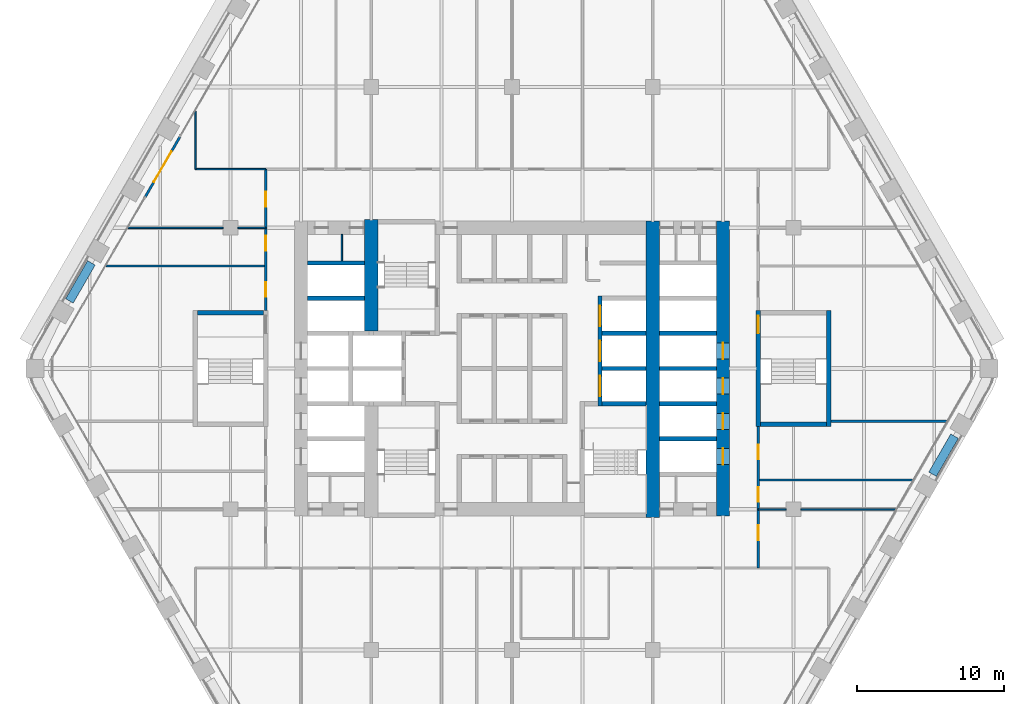
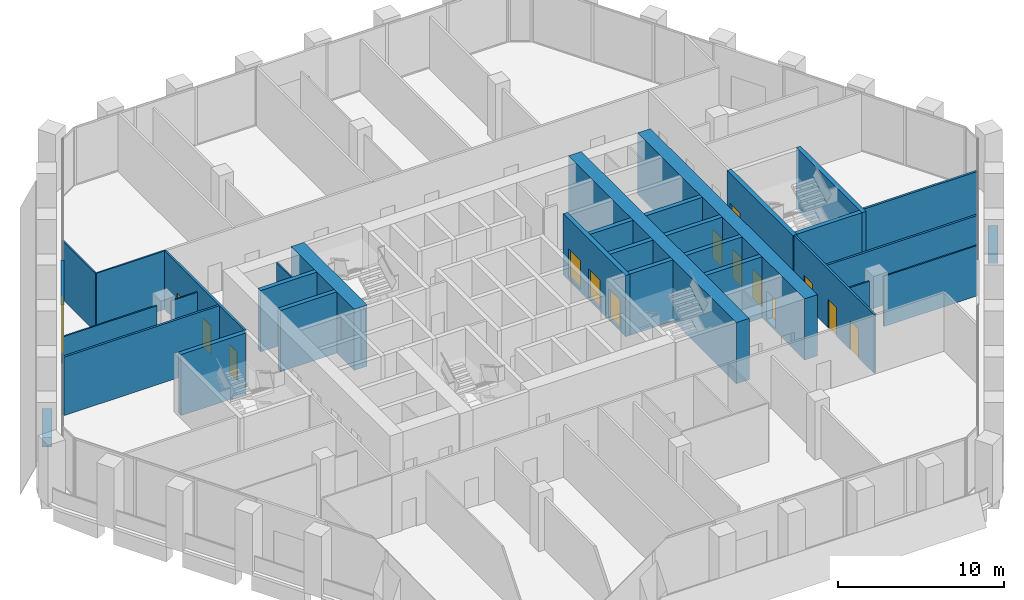
# One storey, part 15 of 23: 32 walls, 15 doors, 15 openings.
"""IFC4 building model written with IfcOpenShell, lengths in metres."""

from ifc_helpers import new_model, si_unit, direction, frame, frame_2d, origin, place, context, subcontext, project, spatial, rectangle, extrude, material, layer, layer_set, type_object, element, fill, save


model = new_model("IFC4")

# Units and contexts
model_context = context("Model", 3, precision=1e-05, world=origin(), true_north=direction((0.0, 1.0)))
body_context = subcontext(model_context, "Body", "Model", "MODEL_VIEW")
ifc_project = project(units=[si_unit("LENGTHUNIT", "METRE"), si_unit("AREAUNIT", "SQUARE_METRE"), si_unit("VOLUMEUNIT", "CUBIC_METRE"), si_unit("PLANEANGLEUNIT", "RADIAN"), si_unit("MASSUNIT", "GRAM", prefix="KILO")], contexts=[model_context])

# Site, building, storey
site_placement = place(None, origin())
site = spatial("IfcSite", under=ifc_project, at=site_placement, CompositionType="ELEMENT")
building_placement = place(site_placement, origin())
building = spatial("IfcBuilding", under=site, at=building_placement, Name="Kolab Exchange Tower", CompositionType="ELEMENT")
storey_placement = place(building_placement, frame((0.0, 0.0, 95.89990234375)))
storey = spatial("IfcBuildingStorey", under=building, at=storey_placement, Name="L18", CompositionType="ELEMENT", Elevation=95.89990234375)

# Walls
ifc_material_1 = material(Name="Concrete C70/85", Category="concrete")
ifc_layer_1 = layer(ifc_material_1, 0.89990234375)
ifc_layer_set_1 = layer_set([ifc_layer_1], Name="Concrete C70/85")
wall_type_1 = type_object("IfcWallType", Name="CORE WALL 900 C70/85", PredefinedType="SHEAR", material=ifc_layer_set_1)
wall_1_placement = place(storey_placement, frame((-9.60009765625, 2.550048828125, -0.199951171875), z_axis=(0.0, 0.0, 1.0), x_axis=(0.0, 1.0, 0.0)))
element("IfcWall", 1, at=wall_1_placement, inside=storey, type_object=wall_type_1, Name="wall/L18/core/062", PredefinedType="SHEAR", context=body_context, shape_type="SweptSolid", body=[
    extrude(rectangle(XDim=7.599853515625, YDim=0.89990234375, at=frame_2d((3.7998046875, 0.0))), origin(), (0.0, 0.0, 1.0), 4.5),
])
wall_2_placement = place(storey_placement, frame((9.60009765625, -10.14990234375, -0.199951171875), z_axis=(0.0, 0.0, 1.0), x_axis=(0.0, 1.0, 0.0)))
element("IfcWall", 2, at=wall_2_placement, inside=storey, type_object=wall_type_1, Name="wall/L18/core/080", PredefinedType="SHEAR", context=body_context, shape_type="SweptSolid", body=[
    extrude(rectangle(XDim=20.199951171875, YDim=0.89990234375, at=frame_2d((10.10009765625, 0.0))), origin(), (0.0, 0.0, 1.0), 4.5),
])

# Wall, openings, doors
wall_3_placement = place(storey_placement, frame((14.39990234375, -10.050048828125, -0.199951171875), z_axis=(0.0, 0.0, 1.0), x_axis=(0.0, 1.0, 0.0)))
wall_3 = element("IfcWall", 3, at=wall_3_placement, inside=storey, type_object=wall_type_1, Name="wall/L18/core/081", PredefinedType="SHEAR", context=body_context, shape_type="SweptSolid", body=[
    extrude(rectangle(XDim=20.10009765625, YDim=0.89990234375, at=frame_2d((10.050048828125, 0.0))), origin(), (0.0, 0.0, 1.0), 4.5),
])
opening_1_placement = place(wall_3_placement, frame((3.5, 0.0, 0.199951171875)))
opening_1 = element("IfcOpeningElement", 4, at=opening_1_placement, cuts=wall_3, Name="Opening LD1-069", PredefinedType="OPENING", context=body_context, shape_type="SweptSolid", body=[
    extrude(rectangle(XDim=1.10009765625, YDim=2.10009765625, at=frame_2d((0.550048828125, 1.050048828125))), frame((0.0, 0.4599609375, 0.0), z_axis=(0.0, -1.0, 0.0), x_axis=(1.0, 0.0, 0.0)), (0.0, 0.0, 1.0), 0.919921875),
])
opening_2_placement = place(wall_3_placement, frame((5.89990234375, 0.0, 0.199951171875)))
opening_2 = element("IfcOpeningElement", 5, at=opening_2_placement, cuts=wall_3, Name="Opening LD1-070", PredefinedType="OPENING", context=body_context, shape_type="SweptSolid", body=[
    extrude(rectangle(XDim=1.10009765625, YDim=2.10009765625, at=frame_2d((0.550048828125, 1.050048828125))), frame((0.0, 0.4599609375, 0.0), z_axis=(0.0, -1.0, 0.0), x_axis=(1.0, 0.0, 0.0)), (0.0, 0.0, 1.0), 0.919921875),
])
opening_3_placement = place(wall_3_placement, frame((8.300048828125, 0.0, 0.199951171875)))
opening_3 = element("IfcOpeningElement", 6, at=opening_3_placement, cuts=wall_3, Name="Opening LD1-071", PredefinedType="OPENING", context=body_context, shape_type="SweptSolid", body=[
    extrude(rectangle(XDim=1.10009765625, YDim=2.10009765625, at=frame_2d((0.550048828125, 1.050048828125))), frame((0.0, 0.4599609375, 0.0), z_axis=(0.0, -1.0, 0.0), x_axis=(1.0, 0.0, 0.0)), (0.0, 0.0, 1.0), 0.919921875),
])
opening_4_placement = place(wall_3_placement, frame((10.699951171875, 0.0, 0.199951171875)))
opening_4 = element("IfcOpeningElement", 7, at=opening_4_placement, cuts=wall_3, Name="Opening LD1-072", PredefinedType="OPENING", context=body_context, shape_type="SweptSolid", body=[
    extrude(rectangle(XDim=1.10009765625, YDim=2.10009765625, at=frame_2d((0.550048828125, 1.050048828125))), frame((0.0, 0.4599609375, 0.0), z_axis=(0.0, -1.0, 0.0), x_axis=(1.0, 0.0, 0.0)), (0.0, 0.0, 1.0), 0.919921875),
])
ifc_material_2 = material(Name="Stainless steel 316", Category="steel")
door_type_1 = type_object("IfcDoorType", Name="LANDING DOOR 1100 PASSENGER", OperationType="DOUBLE_DOOR_SLIDING", PredefinedType="DOOR", material=ifc_material_2)
door_1_placement = place(opening_1_placement, origin())
door_1 = element("IfcDoor", 8, at=door_1_placement, inside=storey, type_object=door_type_1, Name="Landing door LR1", OperationType="DOUBLE_DOOR_SLIDING", OverallHeight=2.10009765625, OverallWidth=1.10009765625, PredefinedType="DOOR", context=body_context, shape_type="SweptSolid", body=[
    extrude(rectangle(XDim=1.10009765625, YDim=2.10009765625, at=frame_2d((0.550048828125, 1.050048828125))), frame((0.0, 0.02490234375, 0.0), z_axis=(0.0, -1.0, 0.0), x_axis=(1.0, 0.0, 0.0)), (0.0, 0.0, 1.0), 0.050048828125),
])
fill(opening_1, door_1)
door_2_placement = place(opening_2_placement, origin())
door_2 = element("IfcDoor", 9, at=door_2_placement, inside=storey, type_object=door_type_1, Name="Landing door LR2", OperationType="DOUBLE_DOOR_SLIDING", OverallHeight=2.10009765625, OverallWidth=1.10009765625, PredefinedType="DOOR", context=body_context, shape_type="SweptSolid", body=[
    extrude(rectangle(XDim=1.10009765625, YDim=2.10009765625, at=frame_2d((0.550048828125, 1.050048828125))), frame((0.0, 0.02490234375, 0.0), z_axis=(0.0, -1.0, 0.0), x_axis=(1.0, 0.0, 0.0)), (0.0, 0.0, 1.0), 0.050048828125),
])
fill(opening_2, door_2)
door_3_placement = place(opening_3_placement, origin())
door_3 = element("IfcDoor", 10, at=door_3_placement, inside=storey, type_object=door_type_1, Name="Landing door LR3", OperationType="DOUBLE_DOOR_SLIDING", OverallHeight=2.10009765625, OverallWidth=1.10009765625, PredefinedType="DOOR", context=body_context, shape_type="SweptSolid", body=[
    extrude(rectangle(XDim=1.10009765625, YDim=2.10009765625, at=frame_2d((0.550048828125, 1.050048828125))), frame((0.0, 0.02490234375, 0.0), z_axis=(0.0, -1.0, 0.0), x_axis=(1.0, 0.0, 0.0)), (0.0, 0.0, 1.0), 0.050048828125),
])
fill(opening_3, door_3)
door_4_placement = place(opening_4_placement, origin())
door_4 = element("IfcDoor", 11, at=door_4_placement, inside=storey, type_object=door_type_1, Name="Landing door LR4", OperationType="DOUBLE_DOOR_SLIDING", OverallHeight=2.10009765625, OverallWidth=1.10009765625, PredefinedType="DOOR", context=body_context, shape_type="SweptSolid", body=[
    extrude(rectangle(XDim=1.10009765625, YDim=2.10009765625, at=frame_2d((0.550048828125, 1.050048828125))), frame((0.0, 0.02490234375, 0.0), z_axis=(0.0, -1.0, 0.0), x_axis=(1.0, 0.0, 0.0)), (0.0, 0.0, 1.0), 0.050048828125),
])
fill(opening_4, door_4)

# Wall, opening, door
ifc_material_3 = material(Name="Aluminium EN AW-6063 T6", Category="aluminium")
ifc_layer_2 = layer(ifc_material_3, 0.159912109375)
ifc_layer_set_2 = layer_set([ifc_layer_2], Name="Aluminium EN AW-6063 T6")
wall_type_2 = type_object("IfcWallType", Name="DOOR SURROUND WALL 160 ALUMINIUM FRAMED", PredefinedType="PARTITIONING", material=ifc_layer_set_2)
wall_4_placement = place(storey_placement, frame((-25.0166015625, 11.706787109375, 0.0), z_axis=(0.0, 0.0, 1.0), x_axis=(0.499978080042, 0.866038058908, 0.0)))
wall_4 = element("IfcWall", 12, at=wall_4_placement, inside=storey, type_object=wall_type_2, Name="Door surround wall", PredefinedType="PARTITIONING", context=body_context, shape_type="SweptSolid", body=[
    extrude(rectangle(XDim=4.739990234375, YDim=0.159912109375, at=frame_2d((2.3701171875, 0.0))), origin(), (0.0, 0.0, 1.0), 4.300048828125),
])
opening_5_placement = place(wall_4_placement, frame((1.169921875, 0.0, 0.0)))
opening_5 = element("IfcOpeningElement", 13, at=opening_5_placement, cuts=wall_4, Name="Opening GD1-039", PredefinedType="OPENING", context=body_context, shape_type="SweptSolid", body=[
    extrude(rectangle(XDim=2.39990234375, YDim=2.39990234375, at=frame_2d((1.199951171875, 1.199951171875))), frame((0.0, 0.08984375, 0.0), z_axis=(0.0, -1.0, 0.0), x_axis=(1.0, 0.0, 0.0)), (0.0, 0.0, 1.0), 0.179931640625),
])
door_type_2 = type_object("IfcDoorType", Name="LOGGIA SLIDING GLASS DOOR 2400 X 2400", OperationType="DOUBLE_DOOR_SINGLE_SWING", PredefinedType="DOOR", material=ifc_material_3)
door_5_placement = place(opening_5_placement, origin())
door_5 = element("IfcDoor", 14, at=door_5_placement, inside=storey, type_object=door_type_2, Name="Loggia door", OperationType="DOUBLE_DOOR_SLIDING", OverallHeight=2.39990234375, OverallWidth=2.39990234375, PredefinedType="DOOR", context=body_context, shape_type="SweptSolid", body=[
    extrude(rectangle(XDim=2.39990234375, YDim=2.39990234375, at=frame_2d((1.199951171875, 1.199951171875))), frame((0.0, 0.02490234375, 0.0), z_axis=(0.0, -1.0, 0.0), x_axis=(1.0, 0.0, 0.0)), (0.0, 0.0, 1.0), 0.050048828125),
])
fill(opening_5, door_5)

# Walls
ifc_material_4 = material(Name="Concrete C50/60", Category="concrete")
ifc_layer_3 = layer(ifc_material_4, 0.300048828125)
ifc_layer_set_3 = layer_set([ifc_layer_3], Name="Concrete C50/60")
wall_type_3 = type_object("IfcWallType", Name="LIFT SHAFT WALL 300 C50/60", PredefinedType="STANDARD", material=ifc_layer_set_3)
for number, where, z_axis, x_axis, name in (
    (15, (10.050048828125, -4.800048828125, -0.199951171875), (0.0, 0.0, 1.0), (1.0, 0.0, 0.0), "wall/L18/core/011"),
    (16, (10.050048828125, -2.39990234375, -0.199951171875), (0.0, 0.0, 1.0), (1.0, 0.0, 0.0), "wall/L18/core/023"),
):
    element("IfcWall", number, at=place(storey_placement, frame(where, z_axis=z_axis, x_axis=x_axis)), inside=storey, type_object=wall_type_3, Name=name, PredefinedType="STANDARD", context=body_context, shape_type="SweptSolid", body=[
        extrude(rectangle(XDim=3.89990234375, YDim=0.300048828125, at=frame_2d((1.949951171875, 0.0))), origin(), (0.0, 0.0, 1.0), 4.5),
    ])
wall_5_placement = place(storey_placement, frame((6.14990234375, 0.0, -0.199951171875), z_axis=(0.0, 0.0, 1.0), x_axis=(1.0, 0.0, 0.0)))
element("IfcWall", 17, at=wall_5_placement, inside=storey, type_object=wall_type_3, Name="wall/L18/core/029", PredefinedType="STANDARD", context=body_context, shape_type="SweptSolid", body=[
    extrude(rectangle(XDim=3.0, YDim=0.300048828125, at=frame_2d((1.5, 0.0))), origin(), (0.0, 0.0, 1.0), 4.5),
])
wall_6_placement = place(storey_placement, frame((10.050048828125, 0.0, -0.199951171875), z_axis=(0.0, 0.0, 1.0), x_axis=(1.0, 0.0, 0.0)))
element("IfcWall", 18, at=wall_6_placement, inside=storey, type_object=wall_type_3, Name="wall/L18/core/030", PredefinedType="STANDARD", context=body_context, shape_type="SweptSolid", body=[
    extrude(rectangle(XDim=3.89990234375, YDim=0.300048828125, at=frame_2d((1.949951171875, 0.0))), origin(), (0.0, 0.0, 1.0), 4.5),
])
wall_7_placement = place(storey_placement, frame((6.14990234375, 2.39990234375, -0.199951171875), z_axis=(0.0, 0.0, 1.0), x_axis=(1.0, 0.0, 0.0)))
element("IfcWall", 19, at=wall_7_placement, inside=storey, type_object=wall_type_3, Name="wall/L18/core/035", PredefinedType="STANDARD", context=body_context, shape_type="SweptSolid", body=[
    extrude(rectangle(XDim=3.0, YDim=0.300048828125, at=frame_2d((1.5, 0.0))), origin(), (0.0, 0.0, 1.0), 4.5),
])
for number, where, z_axis, x_axis, name in (
    (20, (10.050048828125, 2.39990234375, -0.199951171875), (0.0, 0.0, 1.0), (1.0, 0.0, 0.0), "wall/L18/core/036"),
    (21, (-13.949951171875, 4.800048828125, -0.199951171875), (0.0, 0.0, 1.0), (1.0, 0.0, 0.0), "wall/L18/core/042"),
    (22, (-13.949951171875, 7.199951171875, -0.199951171875), (0.0, 0.0, 1.0), (1.0, 0.0, 0.0), "wall/L18/core/048"),
):
    element("IfcWall", number, at=place(storey_placement, frame(where, z_axis=z_axis, x_axis=x_axis)), inside=storey, type_object=wall_type_3, Name=name, PredefinedType="STANDARD", context=body_context, shape_type="SweptSolid", body=[
        extrude(rectangle(XDim=3.89990234375, YDim=0.300048828125, at=frame_2d((1.949951171875, 0.0))), origin(), (0.0, 0.0, 1.0), 4.5),
    ])

# Wall, openings, doors
wall_8_placement = place(storey_placement, frame((6.0, -2.550048828125, -0.199951171875), z_axis=(0.0, 0.0, 1.0), x_axis=(0.0, 1.0, 0.0)))
wall_8 = element("IfcWall", 23, at=wall_8_placement, inside=storey, type_object=wall_type_3, Name="wall/L18/core/079", PredefinedType="STANDARD", context=body_context, shape_type="SweptSolid", body=[
    extrude(rectangle(XDim=7.5, YDim=0.300048828125, at=frame_2d((3.75, 0.0))), origin(), (0.0, 0.0, 1.0), 4.5),
])
opening_6_placement = place(wall_8_placement, frame((0.64990234375, 0.0, 0.199951171875)))
opening_6 = element("IfcOpeningElement", 24, at=opening_6_placement, cuts=wall_8, Name="Opening LD3-025", PredefinedType="OPENING", context=body_context, shape_type="SweptSolid", body=[
    extrude(rectangle(XDim=1.39990234375, YDim=2.10009765625, at=frame_2d((0.699951171875, 1.050048828125))), frame((0.0, 0.16015625, 0.0), z_axis=(0.0, -1.0, 0.0), x_axis=(1.0, 0.0, 0.0)), (0.0, 0.0, 1.0), 0.320068359375),
])
opening_7_placement = place(wall_8_placement, frame((3.050048828125, 0.0, 0.199951171875)))
opening_7 = element("IfcOpeningElement", 25, at=opening_7_placement, cuts=wall_8, Name="Opening LD3-026", PredefinedType="OPENING", context=body_context, shape_type="SweptSolid", body=[
    extrude(rectangle(XDim=1.39990234375, YDim=2.10009765625, at=frame_2d((0.699951171875, 1.050048828125))), frame((0.0, 0.16015625, 0.0), z_axis=(0.0, -1.0, 0.0), x_axis=(1.0, 0.0, 0.0)), (0.0, 0.0, 1.0), 0.320068359375),
])
opening_8_placement = place(wall_8_placement, frame((5.449951171875, 0.0, 0.199951171875)))
opening_8 = element("IfcOpeningElement", 26, at=opening_8_placement, cuts=wall_8, Name="Opening LD3-027", PredefinedType="OPENING", context=body_context, shape_type="SweptSolid", body=[
    extrude(rectangle(XDim=1.39990234375, YDim=2.10009765625, at=frame_2d((0.699951171875, 1.050048828125))), frame((0.0, 0.16015625, 0.0), z_axis=(0.0, -1.0, 0.0), x_axis=(1.0, 0.0, 0.0)), (0.0, 0.0, 1.0), 0.320068359375),
])
door_type_3 = type_object("IfcDoorType", Name="LANDING DOOR 1400 SERVICE", OperationType="DOUBLE_DOOR_SLIDING", PredefinedType="DOOR", material=ifc_material_2)
door_6_placement = place(opening_6_placement, origin())
door_6 = element("IfcDoor", 27, at=door_6_placement, inside=storey, type_object=door_type_3, Name="Landing door SV1", OperationType="DOUBLE_DOOR_SLIDING", OverallHeight=2.10009765625, OverallWidth=1.39990234375, PredefinedType="DOOR", context=body_context, shape_type="SweptSolid", body=[
    extrude(rectangle(XDim=1.39990234375, YDim=2.10009765625, at=frame_2d((0.699951171875, 1.050048828125))), frame((0.0, 0.02490234375, 0.0), z_axis=(0.0, -1.0, 0.0), x_axis=(1.0, 0.0, 0.0)), (0.0, 0.0, 1.0), 0.050048828125),
])
fill(opening_6, door_6)
door_7_placement = place(opening_7_placement, origin())
door_7 = element("IfcDoor", 28, at=door_7_placement, inside=storey, type_object=door_type_3, Name="Landing door SV2", OperationType="DOUBLE_DOOR_SLIDING", OverallHeight=2.10009765625, OverallWidth=1.39990234375, PredefinedType="DOOR", context=body_context, shape_type="SweptSolid", body=[
    extrude(rectangle(XDim=1.39990234375, YDim=2.10009765625, at=frame_2d((0.699951171875, 1.050048828125))), frame((0.0, 0.02490234375, 0.0), z_axis=(0.0, -1.0, 0.0), x_axis=(1.0, 0.0, 0.0)), (0.0, 0.0, 1.0), 0.050048828125),
])
fill(opening_7, door_7)
door_8_placement = place(opening_8_placement, origin())
door_8 = element("IfcDoor", 29, at=door_8_placement, inside=storey, type_object=door_type_3, Name="Landing door SV3", OperationType="DOUBLE_DOOR_SLIDING", OverallHeight=2.10009765625, OverallWidth=1.39990234375, PredefinedType="DOOR", context=body_context, shape_type="SweptSolid", body=[
    extrude(rectangle(XDim=1.39990234375, YDim=2.10009765625, at=frame_2d((0.699951171875, 1.050048828125))), frame((0.0, 0.02490234375, 0.0), z_axis=(0.0, -1.0, 0.0), x_axis=(1.0, 0.0, 0.0)), (0.0, 0.0, 1.0), 0.050048828125),
])
fill(opening_8, door_8)

# Walls
ifc_material_5 = material(Name="Gypsum board", Category="gypsum")
ifc_layer_4 = layer(ifc_material_5, 0.10009765625)
ifc_layer_set_4 = layer_set([ifc_layer_4], Name="Gypsum board")
wall_type_4 = type_object("IfcWallType", Name="PARTITION 100", PredefinedType="PARTITIONING", material=ifc_layer_set_4)
wall_9_placement = place(storey_placement, frame((-11.60009765625, 7.35009765625, 0.0), z_axis=(0.0, 0.0, 1.0), x_axis=(0.0, 1.0, 0.0)))
element("IfcWall", 30, at=wall_9_placement, inside=storey, type_object=wall_type_4, Name="Partition 027", PredefinedType="PARTITIONING", context=body_context, shape_type="SweptSolid", body=[
    extrude(rectangle(XDim=1.7998046875, YDim=0.10009765625, at=frame_2d((0.89990234375, 0.0))), origin(), (0.0, 0.0, 1.0), 4.300048828125),
])
wall_10_placement = place(storey_placement, frame((-21.60009765625, 13.60009765625, 0.0), z_axis=(0.0, 0.0, 1.0), x_axis=(0.0, 1.0, 0.0)))
element("IfcWall", 31, at=wall_10_placement, inside=storey, type_object=wall_type_4, Name="Partition 034", PredefinedType="PARTITIONING", context=body_context, shape_type="SweptSolid", body=[
    extrude(rectangle(XDim=3.944580078125, YDim=0.10009765625, at=frame_2d((1.97216796875, 0.0))), origin(), (0.0, 0.0, 1.0), 4.300048828125),
])
wall_11_placement = place(storey_placement, frame((16.800048828125, -9.60009765625, 0.0), z_axis=(0.0, 0.0, 1.0), x_axis=(1.0, 0.0, 0.0)))
element("IfcWall", 32, at=wall_11_placement, inside=storey, type_object=wall_type_4, Name="Partition 040", PredefinedType="PARTITIONING", context=body_context, shape_type="SweptSolid", body=[
    extrude(rectangle(XDim=1.89990234375, YDim=0.10009765625, at=frame_2d((0.949951171875, 0.0))), origin(), (0.0, 0.0, 1.0), 3.692138671875),
])
for number, where, z_axis, x_axis, name in (
    (33, (19.699951171875, -9.60009765625, 0.0), (0.0, 0.0, 1.0), (1.0, 0.0, 0.0), "Partition 041"),
    (34, (-26.186767578125, 9.60009765625, 0.0), (0.0, 0.0, 1.0), (1.0, 0.0, 0.0), "Partition 050"),
):
    element("IfcWall", number, at=place(storey_placement, frame(where, z_axis=z_axis, x_axis=x_axis)), inside=storey, type_object=wall_type_4, Name=name, PredefinedType="PARTITIONING", context=body_context, shape_type="SweptSolid", body=[
        extrude(rectangle(XDim=6.48681640625, YDim=0.10009765625, at=frame_2d((3.243408203125, 0.0))), origin(), (0.0, 0.0, 1.0), 3.692138671875),
    ])
wall_12_placement = place(storey_placement, frame((-18.699951171875, 9.60009765625, 0.0), z_axis=(0.0, 0.0, 1.0), x_axis=(1.0, 0.0, 0.0)))
element("IfcWall", 35, at=wall_12_placement, inside=storey, type_object=wall_type_4, Name="Partition 051", PredefinedType="PARTITIONING", context=body_context, shape_type="SweptSolid", body=[
    extrude(rectangle(XDim=1.89990234375, YDim=0.10009765625, at=frame_2d((0.949951171875, 0.0))), origin(), (0.0, 0.0, 1.0), 3.692138671875),
])
wall_13_placement = place(storey_placement, frame((-21.60009765625, 13.60009765625, 0.0), z_axis=(0.0, 0.0, 1.0), x_axis=(1.0, 0.0, 0.0)))
element("IfcWall", 36, at=wall_13_placement, inside=storey, type_object=wall_type_4, Name="Partition 054", PredefinedType="PARTITIONING", context=body_context, shape_type="SweptSolid", body=[
    extrude(rectangle(XDim=4.800048828125, YDim=0.10009765625, at=frame_2d((2.39990234375, 0.0))), origin(), (0.0, 0.0, 1.0), 4.300048828125),
])

# Wall, openings, doors
ifc_layer_5 = layer(ifc_material_5, 0.14990234375)
ifc_layer_set_5 = layer_set([ifc_layer_5], Name="Gypsum board")
wall_type_5 = type_object("IfcWallType", Name="PARTITION 150 FIRE-RATED", PredefinedType="PARTITIONING", material=ifc_layer_set_5)
wall_14_placement = place(storey_placement, frame((16.800048828125, -13.60009765625, 0.0), z_axis=(0.0, 0.0, 1.0), x_axis=(0.0, 1.0, 0.0)))
wall_14 = element("IfcWall", 37, at=wall_14_placement, inside=storey, type_object=wall_type_5, Name="Partition 002", PredefinedType="PARTITIONING", context=body_context, shape_type="SweptSolid", body=[
    extrude(rectangle(XDim=9.650146484375, YDim=0.14990234375, at=frame_2d((4.8251953125, 0.0))), origin(), (0.0, 0.0, 1.0), 4.300048828125),
])
opening_9_placement = place(wall_14_placement, frame((1.89501953125, 0.0, 0.0)))
opening_9 = element("IfcOpeningElement", 38, at=opening_9_placement, cuts=wall_14, Name="Opening D1-270", PredefinedType="OPENING", context=body_context, shape_type="SweptSolid", body=[
    extrude(rectangle(XDim=1.0, YDim=2.10009765625, at=frame_2d((0.5, 1.050048828125))), frame((0.0, 0.0849609375, 0.0), z_axis=(0.0, -1.0, 0.0), x_axis=(1.0, 0.0, 0.0)), (0.0, 0.0, 1.0), 0.169921875),
])
opening_10_placement = place(wall_14_placement, frame((4.514892578125, 0.0, 0.0)))
opening_10 = element("IfcOpeningElement", 39, at=opening_10_placement, cuts=wall_14, Name="Opening D1-271", PredefinedType="OPENING", context=body_context, shape_type="SweptSolid", body=[
    extrude(rectangle(XDim=1.0, YDim=2.10009765625, at=frame_2d((0.5, 1.050048828125))), frame((0.0, 0.0849609375, 0.0), z_axis=(0.0, -1.0, 0.0), x_axis=(1.0, 0.0, 0.0)), (0.0, 0.0, 1.0), 0.169921875),
])
opening_11_placement = place(wall_14_placement, frame((7.39990234375, 0.0, 0.0)))
opening_11 = element("IfcOpeningElement", 40, at=opening_11_placement, cuts=wall_14, Name="Opening D1-272", PredefinedType="OPENING", context=body_context, shape_type="SweptSolid", body=[
    extrude(rectangle(XDim=1.0, YDim=2.10009765625, at=frame_2d((0.5, 1.050048828125))), frame((0.0, 0.0849609375, 0.0), z_axis=(0.0, -1.0, 0.0), x_axis=(1.0, 0.0, 0.0)), (0.0, 0.0, 1.0), 0.169921875),
])
ifc_material_6 = material(Name="Steel S235", Category="steel")
door_type_4 = type_object("IfcDoorType", Name="FLUSH DOOR 1000 FD60", OperationType="SINGLE_SWING_LEFT", PredefinedType="DOOR", material=ifc_material_6)
door_9_placement = place(opening_9_placement, frame((1.0, 0.0, 0.0), z_axis=(0.0, 0.0, 1.0), x_axis=(-1.0, 0.0, 0.0)))
door_9 = element("IfcDoor", 41, at=door_9_placement, inside=storey, type_object=door_type_4, Name="Door L18-064", OperationType="SINGLE_SWING_RIGHT", OverallHeight=2.10009765625, OverallWidth=1.0, PredefinedType="DOOR", context=body_context, shape_type="SweptSolid", body=[
    extrude(rectangle(XDim=1.0, YDim=2.10009765625, at=frame_2d((0.5, 1.050048828125))), frame((0.0, 0.02490234375, 0.0), z_axis=(0.0, -1.0, 0.0), x_axis=(1.0, 0.0, 0.0)), (0.0, 0.0, 1.0), 0.050048828125),
])
fill(opening_9, door_9)
door_10_placement = place(opening_10_placement, frame((1.0, 0.0, 0.0), z_axis=(0.0, 0.0, 1.0), x_axis=(-1.0, 0.0, 0.0)))
door_10 = element("IfcDoor", 42, at=door_10_placement, inside=storey, type_object=door_type_4, Name="Door L18-065", OperationType="SINGLE_SWING_RIGHT", OverallHeight=2.10009765625, OverallWidth=1.0, PredefinedType="DOOR", context=body_context, shape_type="SweptSolid", body=[
    extrude(rectangle(XDim=1.0, YDim=2.10009765625, at=frame_2d((0.5, 1.050048828125))), frame((0.0, 0.02490234375, 0.0), z_axis=(0.0, -1.0, 0.0), x_axis=(1.0, 0.0, 0.0)), (0.0, 0.0, 1.0), 0.050048828125),
])
fill(opening_10, door_10)
door_11_placement = place(opening_11_placement, frame((1.0, 0.0, 0.0), z_axis=(0.0, 0.0, 1.0), x_axis=(-1.0, 0.0, 0.0)))
door_11 = element("IfcDoor", 43, at=door_11_placement, inside=storey, type_object=door_type_4, Name="Door L18-066", OperationType="SINGLE_SWING_RIGHT", OverallHeight=2.10009765625, OverallWidth=1.0, PredefinedType="DOOR", context=body_context, shape_type="SweptSolid", body=[
    extrude(rectangle(XDim=1.0, YDim=2.10009765625, at=frame_2d((0.5, 1.050048828125))), frame((0.0, 0.02490234375, 0.0), z_axis=(0.0, -1.0, 0.0), x_axis=(1.0, 0.0, 0.0)), (0.0, 0.0, 1.0), 0.050048828125),
])
fill(opening_11, door_11)

wall_15_placement = place(storey_placement, frame((-16.800048828125, 3.949951171875, 0.0), z_axis=(0.0, 0.0, 1.0), x_axis=(0.0, 1.0, 0.0)))
wall_15 = element("IfcWall", 44, at=wall_15_placement, inside=storey, type_object=wall_type_5, Name="Partition 032", PredefinedType="PARTITIONING", context=body_context, shape_type="SweptSolid", body=[
    extrude(rectangle(XDim=9.650146484375, YDim=0.14990234375, at=frame_2d((4.8251953125, 0.0))), origin(), (0.0, 0.0, 1.0), 4.300048828125),
])
opening_12_placement = place(wall_15_placement, frame((0.949951171875, 0.0, 0.0)))
opening_12 = element("IfcOpeningElement", 45, at=opening_12_placement, cuts=wall_15, Name="Opening D1-279", PredefinedType="OPENING", context=body_context, shape_type="SweptSolid", body=[
    extrude(rectangle(XDim=1.0, YDim=2.10009765625, at=frame_2d((0.5, 1.050048828125))), frame((0.0, 0.0849609375, 0.0), z_axis=(0.0, -1.0, 0.0), x_axis=(1.0, 0.0, 0.0)), (0.0, 0.0, 1.0), 0.169921875),
])
opening_13_placement = place(wall_15_placement, frame((4.094970703125, 0.0, 0.0)))
opening_13 = element("IfcOpeningElement", 46, at=opening_13_placement, cuts=wall_15, Name="Opening D1-280", PredefinedType="OPENING", context=body_context, shape_type="SweptSolid", body=[
    extrude(rectangle(XDim=1.0, YDim=2.10009765625, at=frame_2d((0.5, 1.050048828125))), frame((0.0, 0.0849609375, 0.0), z_axis=(0.0, -1.0, 0.0), x_axis=(1.0, 0.0, 0.0)), (0.0, 0.0, 1.0), 0.169921875),
])
opening_14_placement = place(wall_15_placement, frame((7.094970703125, 0.0, 0.0)))
opening_14 = element("IfcOpeningElement", 47, at=opening_14_placement, cuts=wall_15, Name="Opening D1-281", PredefinedType="OPENING", context=body_context, shape_type="SweptSolid", body=[
    extrude(rectangle(XDim=1.0, YDim=2.10009765625, at=frame_2d((0.5, 1.050048828125))), frame((0.0, 0.0849609375, 0.0), z_axis=(0.0, -1.0, 0.0), x_axis=(1.0, 0.0, 0.0)), (0.0, 0.0, 1.0), 0.169921875),
])
door_12_placement = place(opening_12_placement, origin())
door_12 = element("IfcDoor", 48, at=door_12_placement, inside=storey, type_object=door_type_4, Name="Door L18-073", OperationType="SINGLE_SWING_RIGHT", OverallHeight=2.10009765625, OverallWidth=1.0, PredefinedType="DOOR", context=body_context, shape_type="SweptSolid", body=[
    extrude(rectangle(XDim=1.0, YDim=2.10009765625, at=frame_2d((0.5, 1.050048828125))), frame((0.0, 0.02490234375, 0.0), z_axis=(0.0, -1.0, 0.0), x_axis=(1.0, 0.0, 0.0)), (0.0, 0.0, 1.0), 0.050048828125),
])
fill(opening_12, door_12)
door_13_placement = place(opening_13_placement, origin())
door_13 = element("IfcDoor", 49, at=door_13_placement, inside=storey, type_object=door_type_4, Name="Door L18-074", OperationType="SINGLE_SWING_RIGHT", OverallHeight=2.10009765625, OverallWidth=1.0, PredefinedType="DOOR", context=body_context, shape_type="SweptSolid", body=[
    extrude(rectangle(XDim=1.0, YDim=2.10009765625, at=frame_2d((0.5, 1.050048828125))), frame((0.0, 0.02490234375, 0.0), z_axis=(0.0, -1.0, 0.0), x_axis=(1.0, 0.0, 0.0)), (0.0, 0.0, 1.0), 0.050048828125),
])
fill(opening_13, door_13)
door_14_placement = place(opening_14_placement, origin())
door_14 = element("IfcDoor", 50, at=door_14_placement, inside=storey, type_object=door_type_4, Name="Door L18-075", OperationType="SINGLE_SWING_LEFT", OverallHeight=2.10009765625, OverallWidth=1.0, PredefinedType="DOOR", context=body_context, shape_type="SweptSolid", body=[
    extrude(rectangle(XDim=1.0, YDim=2.10009765625, at=frame_2d((0.5, 1.050048828125))), frame((0.0, 0.02490234375, 0.0), z_axis=(0.0, -1.0, 0.0), x_axis=(1.0, 0.0, 0.0)), (0.0, 0.0, 1.0), 0.050048828125),
])
fill(opening_14, door_14)

# Walls
wall_16_placement = place(storey_placement, frame((16.800048828125, -7.60009765625, 0.0), z_axis=(0.0, 0.0, 1.0), x_axis=(1.0, 0.0, 0.0)))
element("IfcWall", 51, at=wall_16_placement, inside=storey, type_object=wall_type_5, Name="Partition 043", PredefinedType="PARTITIONING", context=body_context, shape_type="SweptSolid", body=[
    extrude(rectangle(XDim=10.54150390625, YDim=0.14990234375, at=frame_2d((5.270751953125, 0.0))), origin(), (0.0, 0.0, 1.0), 4.300048828125),
])
wall_17_placement = place(storey_placement, frame((21.75, -3.60009765625, 0.0), z_axis=(0.0, 0.0, 1.0), x_axis=(1.0, 0.0, 0.0)))
element("IfcWall", 52, at=wall_17_placement, inside=storey, type_object=wall_type_5, Name="Partition 046", PredefinedType="PARTITIONING", context=body_context, shape_type="SweptSolid", body=[
    extrude(rectangle(XDim=7.90087890625, YDim=0.14990234375, at=frame_2d((3.950439453125, 0.0))), origin(), (0.0, 0.0, 1.0), 4.300048828125),
])
wall_18_placement = place(storey_placement, frame((-27.68798828125, 7.0, 0.0), z_axis=(0.0, 0.0, 1.0), x_axis=(1.0, 0.0, 0.0)))
element("IfcWall", 53, at=wall_18_placement, inside=storey, type_object=wall_type_5, Name="Partition 048", PredefinedType="PARTITIONING", context=body_context, shape_type="SweptSolid", body=[
    extrude(rectangle(XDim=10.887939453125, YDim=0.14990234375, at=frame_2d((5.44384765625, 0.0))), origin(), (0.0, 0.0, 1.0), 4.300048828125),
])
ifc_material_7 = material(Name="Granite facing", Category="masonry")
ifc_layer_6 = layer(ifc_material_7, 0.0400390625)
ifc_material_8 = material(Name="Concrete C40/50 precast", Category="concrete")
ifc_layer_7 = layer(ifc_material_8, 0.56005859375)
ifc_layer_set_6 = layer_set([ifc_layer_6, ifc_layer_7], Name="Concrete C40/50 precast")
wall_type_6 = type_object("IfcWallType", Name="PLANTER BOX 600 X 700 SOIL DEPTH 550", PredefinedType="USERDEFINED", material=ifc_layer_set_6)
for number, where, z_axis, x_axis, name in (
    (54, (30.18701171875, -4.611328125, 0.0), (0.0, 0.0, 1.0), (-0.499990139034, -0.866031096941, 0.0), "Planter"),
    (55, (-30.18701171875, 4.611328125, 0.0), (0.0, 0.0, 1.0), (0.499990139034, 0.866031096941, 0.0), "Planter"),
):
    element("IfcWall", number, at=place(storey_placement, frame(where, z_axis=z_axis, x_axis=x_axis)), inside=storey, type_object=wall_type_6, Name=name, ObjectType="PLANTER", PredefinedType="USERDEFINED", context=body_context, shape_type="SweptSolid", body=[
        extrude(rectangle(XDim=3.0, YDim=0.60009765625, at=frame_2d((1.5, 0.0))), origin(), (0.0, 0.0, 1.0), 0.7001953125),
    ])
ifc_layer_8 = layer(ifc_material_4, 0.300048828125)
ifc_layer_set_7 = layer_set([ifc_layer_8], Name="Concrete C50/60")
wall_type_7 = type_object("IfcWallType", Name="STAIR ENCLOSURE WALL 300 C50/60", PredefinedType="STANDARD", material=ifc_layer_set_7)
wall_19_placement = place(storey_placement, frame((16.949951171875, -3.800048828125, -0.199951171875), z_axis=(0.0, 0.0, 1.0), x_axis=(1.0, 0.0, 0.0)))
element("IfcWall", 56, at=wall_19_placement, inside=storey, type_object=wall_type_7, Name="wall/L18/core/013", PredefinedType="STANDARD", context=body_context, shape_type="SweptSolid", body=[
    extrude(rectangle(XDim=4.5, YDim=0.300048828125, at=frame_2d((2.25, 0.0))), origin(), (0.0, 0.0, 1.0), 4.5),
])
wall_20_placement = place(storey_placement, frame((6.14990234375, -2.39990234375, -0.199951171875), z_axis=(0.0, 0.0, 1.0), x_axis=(1.0, 0.0, 0.0)))
element("IfcWall", 57, at=wall_20_placement, inside=storey, type_object=wall_type_7, Name="wall/L18/core/022", PredefinedType="STANDARD", context=body_context, shape_type="SweptSolid", body=[
    extrude(rectangle(XDim=3.0, YDim=0.300048828125, at=frame_2d((1.5, 0.0))), origin(), (0.0, 0.0, 1.0), 4.5),
])
wall_21_placement = place(storey_placement, frame((-21.449951171875, 3.800048828125, -0.199951171875), z_axis=(0.0, 0.0, 1.0), x_axis=(1.0, 0.0, 0.0)))
element("IfcWall", 58, at=wall_21_placement, inside=storey, type_object=wall_type_7, Name="wall/L18/core/040", PredefinedType="STANDARD", context=body_context, shape_type="SweptSolid", body=[
    extrude(rectangle(XDim=4.5, YDim=0.300048828125, at=frame_2d((2.25, 0.0))), origin(), (0.0, 0.0, 1.0), 4.5),
])

# Wall, opening, door
wall_22_placement = place(storey_placement, frame((16.800048828125, -3.949951171875, -0.199951171875), z_axis=(0.0, 0.0, 1.0), x_axis=(0.0, 1.0, 0.0)))
wall_22 = element("IfcWall", 59, at=wall_22_placement, inside=storey, type_object=wall_type_7, Name="wall/L18/core/082", PredefinedType="STANDARD", context=body_context, shape_type="SweptSolid", body=[
    extrude(rectangle(XDim=7.89990234375, YDim=0.300048828125, at=frame_2d((3.949951171875, 0.0))), origin(), (0.0, 0.0, 1.0), 4.5),
])
opening_15_placement = place(wall_22_placement, frame((6.35009765625, 0.0, 0.199951171875)))
opening_15 = element("IfcOpeningElement", 60, at=opening_15_placement, cuts=wall_22, Name="Opening D4-047", PredefinedType="OPENING", context=body_context, shape_type="SweptSolid", body=[
    extrude(rectangle(XDim=1.199951171875, YDim=2.10009765625, at=frame_2d((0.60009765625, 1.050048828125))), frame((0.0, 0.16015625, 0.0), z_axis=(0.0, -1.0, 0.0), x_axis=(1.0, 0.0, 0.0)), (0.0, 0.0, 1.0), 0.320068359375),
])
door_type_5 = type_object("IfcDoorType", Name="STAIR DOOR 1200 EI 120", OperationType="SINGLE_SWING_LEFT", PredefinedType="DOOR", material=ifc_material_6)
door_15_placement = place(opening_15_placement, frame((1.199951171875, 0.0, 0.0), z_axis=(0.0, 0.0, 1.0), x_axis=(-1.0, 0.0, 0.0)))
door_15 = element("IfcDoor", 61, at=door_15_placement, inside=storey, type_object=door_type_5, Name="Stair 4 door", OperationType="SINGLE_SWING_RIGHT", OverallHeight=2.10009765625, OverallWidth=1.199951171875, PredefinedType="DOOR", context=body_context, shape_type="SweptSolid", body=[
    extrude(rectangle(XDim=1.199951171875, YDim=2.10009765625, at=frame_2d((0.60009765625, 1.050048828125))), frame((0.0, 0.02490234375, 0.0), z_axis=(0.0, -1.0, 0.0), x_axis=(1.0, 0.0, 0.0)), (0.0, 0.0, 1.0), 0.050048828125),
])
fill(opening_15, door_15)

# Wall
wall_23_placement = place(storey_placement, frame((21.60009765625, -3.949951171875, -0.199951171875), z_axis=(0.0, 0.0, 1.0), x_axis=(0.0, 1.0, 0.0)))
element("IfcWall", 62, at=wall_23_placement, inside=storey, type_object=wall_type_7, Name="wall/L18/core/083", PredefinedType="STANDARD", context=body_context, shape_type="SweptSolid", body=[
    extrude(rectangle(XDim=7.89990234375, YDim=0.300048828125, at=frame_2d((3.949951171875, 0.0))), origin(), (0.0, 0.0, 1.0), 4.5),
])

save(model, "model.ifc")
